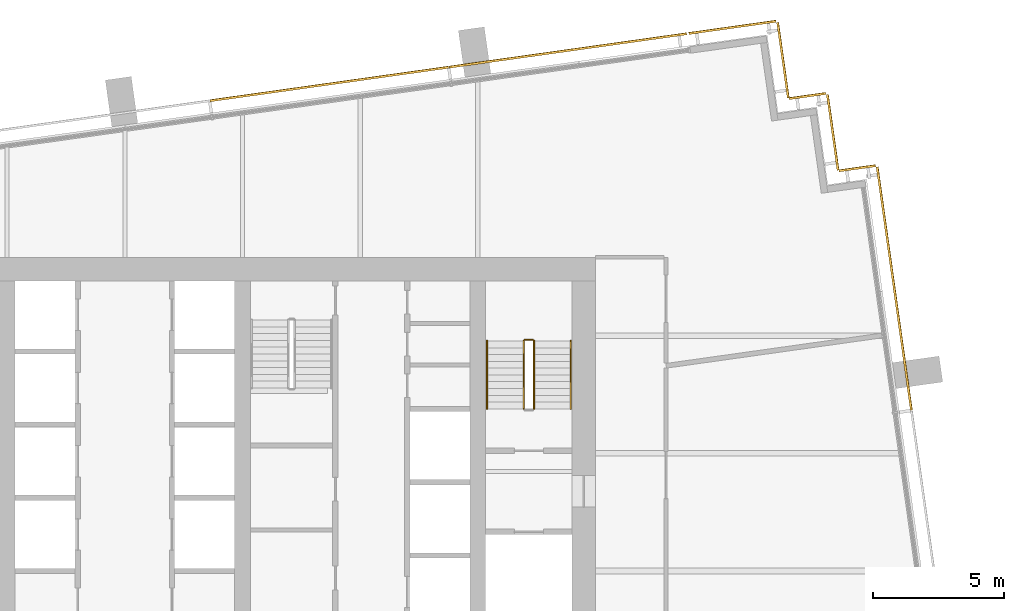
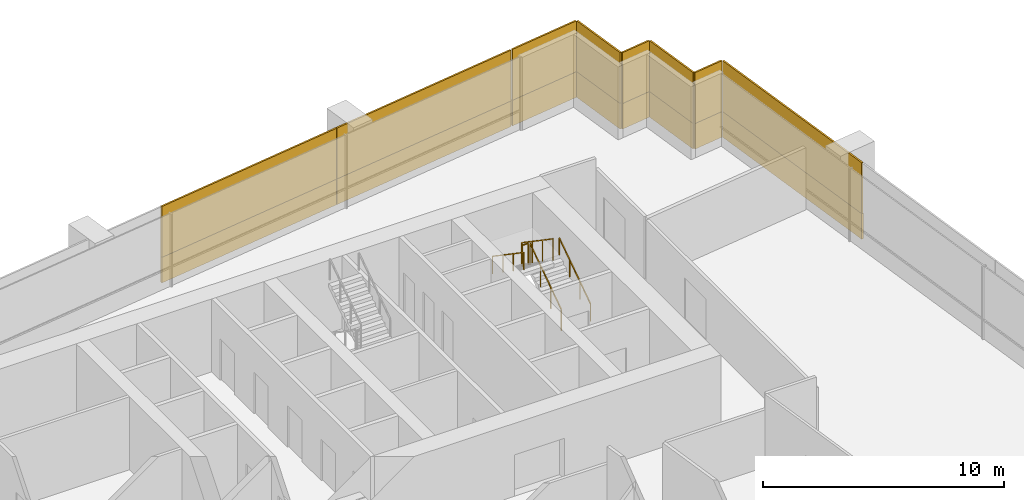
# One storey, part 17 of 17: 16 coverings, 5 railings.
"""IFC4 building model written with IfcOpenShell, lengths in metres."""

import ifcopenshell
import ifcopenshell.guid

model = None  # the IFC model being written
_history = None  # IfcOwnerHistory: only IFC2X3 demands one
_inside = {}  # id of a spatial element -> (the spatial element, [elements in it])
_under = {}  # id of a project, library or spatial element -> (it, [spatial elements below it])
_declared = {}  # id of a project -> (the project, [libraries it declares])
_typed = {}  # id of a type object -> (the type object, [elements of that type])
_made_of = {}  # id of a material, layer set ... -> (it, [elements and type objects made of it])


def new_model(schema):
    """Start an empty IFC model of exactly this schema.

    Asked for "IFC4X3", IfcOpenShell would pick the latest addendum, in which some entities
    have other attributes; the version numbers below select the first issue.
    IFC2X3 requires an IfcOwnerHistory on every rooted entity: one is made here for all.
    """
    global model, _history
    if schema == "IFC4X3":
        model = ifcopenshell.file(schema_version=(4, 3, 0, 0))
    else:
        model = ifcopenshell.file(schema=schema)
    _inside.clear()
    _under.clear()
    _declared.clear()
    _typed.clear()
    _made_of.clear()
    _history = None
    if model.schema == "IFC2X3":
        org = make("IfcOrganization", Name="unknown")
        user = make(
            "IfcPersonAndOrganization",
            ThePerson=make("IfcPerson", FamilyName="unknown"),
            TheOrganization=org,
        )
        app = make(
            "IfcApplication",
            ApplicationDeveloper=org,
            Version="unknown",
            ApplicationFullName="unknown",
            ApplicationIdentifier="unknown",
        )
        _history = make(
            "IfcOwnerHistory",
            OwningUser=user,
            OwningApplication=app,
            ChangeAction="ADDED",
            CreationDate=0,
        )
    return model


def make(cls, **values):
    """One entity of the class cls with the attributes given. An attribute that is None is left unset."""
    return model.create_entity(
        cls, **{name: value for name, value in values.items() if value is not None}
    )


def rooted(cls, **values):
    """An entity with a GlobalId (a new one), such as an element, a storey or a relation."""
    return make(cls, GlobalId=ifcopenshell.guid.new(), OwnerHistory=_history, **values)


def si_unit(unit_type, name, prefix=None):
    """IfcSIUnit, for example si_unit("LENGTHUNIT", "METRE", prefix="MILLI")."""
    return make("IfcSIUnit", UnitType=unit_type, Prefix=prefix, Name=name)


def assignment(units):
    """IfcUnitAssignment: the units of a project."""
    return None if units is None else make("IfcUnitAssignment", Units=units)


def point(xyz):
    """IfcCartesianPoint."""
    return None if xyz is None else make("IfcCartesianPoint", Coordinates=xyz)


def direction(xyz):
    """IfcDirection."""
    return None if xyz is None else make("IfcDirection", DirectionRatios=xyz)


def frame(location, z_axis=None, x_axis=None):
    """IfcAxis2Placement3D, a coordinate frame: its origin and axes. An axis left out is left unset."""
    return make(
        "IfcAxis2Placement3D",
        Location=point(location),
        Axis=direction(z_axis),
        RefDirection=direction(x_axis),
    )


def frame_2d(location, x_axis=None):
    """IfcAxis2Placement2D, a coordinate frame in the plane: its origin and x axis."""
    return make(
        "IfcAxis2Placement2D", Location=point(location), RefDirection=direction(x_axis)
    )


def origin():
    """The frame at (0, 0, 0) with its axes left unset."""
    return frame((0.0, 0.0, 0.0))


def origin_2d():
    """The frame at (0, 0) in the plane with its x axis left unset."""
    return frame_2d((0.0, 0.0))


def place(relative_to, where):
    """IfcLocalPlacement: puts the frame where relative to a parent placement (None: the world)."""
    return make(
        "IfcLocalPlacement", PlacementRelTo=relative_to, RelativePlacement=where
    )


def context(
    kind, dimensions, precision=None, world=None, true_north=None, identifier=None
):
    """IfcGeometricRepresentationContext, for example the 3D "Model" context."""
    return make(
        "IfcGeometricRepresentationContext",
        ContextIdentifier=identifier,
        ContextType=kind,
        CoordinateSpaceDimension=dimensions,
        Precision=precision,
        WorldCoordinateSystem=world,
        TrueNorth=true_north,
    )


def subcontext(parent, identifier, kind, view, scale=None):
    """IfcGeometricRepresentationSubContext, for example "Body" below "Model"."""
    return make(
        "IfcGeometricRepresentationSubContext",
        ContextIdentifier=identifier,
        ContextType=kind,
        ParentContext=parent,
        TargetScale=scale,
        TargetView=view,
    )


def project(units=None, contexts=None):
    """IfcProject with its units and contexts."""
    return rooted(
        "IfcProject",
        Name="project",
        RepresentationContexts=contexts,
        UnitsInContext=assignment(units),
    )


def spatial(cls, under=None, at=None, **own):
    """A site, building, storey or space (cls), placed at a placement, below another one or the project."""
    s = rooted(cls, ObjectPlacement=at, **own)
    if under is not None:
        _under.setdefault(under.id(), (under, []))[1].append(s)
    return s


def profile(cls, at=None, kind="AREA", **sizes):
    """A parametric profile (cls). Its sizes go by their IFC names, for example OverallWidth=200.0."""
    return make(cls, ProfileType=kind, Position=at, **sizes)


def rectangle(**sizes):
    """IfcRectangleProfileDef."""
    return profile("IfcRectangleProfileDef", **sizes)


def extrude(swept, where, along, depth):
    """IfcExtrudedAreaSolid: the profile swept, set in the frame where, extruded along a direction by depth."""
    return make(
        "IfcExtrudedAreaSolid",
        SweptArea=swept,
        Position=where,
        ExtrudedDirection=direction(along),
        Depth=depth,
    )


def shape(context_of_items, identifier, shape_type, items):
    """IfcShapeRepresentation: the items that make up one representation, for example the "Body"."""
    return make(
        "IfcShapeRepresentation",
        ContextOfItems=context_of_items,
        RepresentationIdentifier=identifier,
        RepresentationType=shape_type,
        Items=items,
    )


def material(Name=None, Category=None):
    """IfcMaterial."""
    return make("IfcMaterial", Name=Name, Category=Category)


def layer(
    of_material, thickness, ventilated=None, Name=None, Category=None, Priority=None
):
    """IfcMaterialLayer: one layer of a wall or slab, of a material (None: an air gap)."""
    return make(
        "IfcMaterialLayer",
        Material=of_material,
        LayerThickness=thickness,
        IsVentilated=ventilated,
        Name=Name,
        Category=Category,
        Priority=Priority,
    )


def layer_set(layers, Name=None):
    """IfcMaterialLayerSet."""
    return make("IfcMaterialLayerSet", MaterialLayers=layers, LayerSetName=Name)


def made_of(thing, what):
    """Note that an element or type object is made of a material, layer set ...; save() writes the relation."""
    if what is not None:
        _made_of.setdefault(what.id(), (what, []))[1].append(thing)
    return thing


def type_object(cls, material=None, **own):
    """A type object (cls), such as IfcWallType, which elements share."""
    return made_of(rooted(cls, **own), material)


def element(
    cls,
    number,
    at=None,
    inside=None,
    cuts=None,
    type_object=None,
    material=None,
    context=None,
    identifier="Body",
    shape_type=None,
    held_by="IfcProductDefinitionShape",
    body=None,
    shapes=None,
    **own,
):
    """One element of the class cls, such as IfcWall. Its Tag is "e" and its number.

    at: its placement. inside: the storey or other place that contains it. cuts: it is an
    opening in that element (IfcRelVoidsElement). A single representation is given by context,
    identifier, shape_type and body (its items); several are given by shapes. held_by: the class
    of the entity that holds the representations. save() writes the other relations.
    """
    e = rooted(cls, Tag="e%d" % number, ObjectPlacement=at, **own)
    if body is not None:
        shapes = [shape(context, identifier, shape_type, body)]
    if shapes is not None:
        e.Representation = make(held_by, Representations=shapes)
    if inside is not None:
        _inside.setdefault(inside.id(), (inside, []))[1].append(e)
    if cuts is not None:
        rooted(
            "IfcRelVoidsElement", RelatingBuildingElement=cuts, RelatedOpeningElement=e
        )
    if type_object is not None:
        _typed.setdefault(type_object.id(), (type_object, []))[1].append(e)
    return made_of(e, material)


def aggregate(whole, parts):
    """IfcRelAggregates: a whole, such as a stair, and the parts it consists of."""
    return rooted("IfcRelAggregates", RelatingObject=whole, RelatedObjects=parts)


def save(model, path):
    """Write the relations noted so far, then the file.

    IfcRelAggregates (storeys below a building ...), IfcRelContainedInSpatialStructure (elements
    in a storey), IfcRelDefinesByType, IfcRelAssociatesMaterial and IfcRelDeclares: one each for
    every whole, place, type object, material and project.
    """
    for whole, parts in _under.values():
        aggregate(whole, parts)
    for where, things in _inside.values():
        rooted(
            "IfcRelContainedInSpatialStructure",
            RelatedElements=things,
            RelatingStructure=where,
        )
    for kind, things in _typed.values():
        rooted("IfcRelDefinesByType", RelatedObjects=things, RelatingType=kind)
    for what, things in _made_of.values():
        rooted("IfcRelAssociatesMaterial", RelatedObjects=things, RelatingMaterial=what)
    for by, libraries in _declared.values():
        rooted("IfcRelDeclares", RelatingContext=by, RelatedDefinitions=libraries)
    model.write(path)


model = new_model("IFC4")

# Units and contexts
model_context = context("Model", 3, precision=1e-05, world=origin(), true_north=direction((0.0, 1.0)))
body_context = subcontext(model_context, "Body", "Model", "MODEL_VIEW")
ifc_project = project(units=[si_unit("LENGTHUNIT", "METRE"), si_unit("AREAUNIT", "SQUARE_METRE"), si_unit("VOLUMEUNIT", "CUBIC_METRE"), si_unit("PLANEANGLEUNIT", "RADIAN"), si_unit("MASSUNIT", "GRAM", prefix="KILO")], contexts=[model_context])

# Site, building, storey
site_placement = place(None, origin())
site = spatial("IfcSite", under=ifc_project, at=site_placement, CompositionType="ELEMENT")
building_placement = place(site_placement, origin())
building = spatial("IfcBuilding", under=site, at=building_placement, Name="Rattan Terrace Tower", CompositionType="ELEMENT")
storey_placement = place(building_placement, frame((0.0, 0.0, 221.300048828125)))
storey = spatial("IfcBuildingStorey", under=building, at=storey_placement, Name="L50", CompositionType="ELEMENT", Elevation=221.300048828125)

# Railings
ifc_material_1 = material(Name="Powder-coated steel guard", Category="steel")
railing_type_1 = type_object("IfcRailingType", Name="Core stair guard", PredefinedType="GUARDRAIL", material=ifc_material_1)
railing_1_placement = place(storey_placement, frame((15.64990234375, 1.699951171875, 0.17724609375)))
element("IfcRailing", 1, at=railing_1_placement, inside=storey, type_object=railing_type_1, Name="L50 S2 stair guard 1", PredefinedType="GUARDRAIL", context=body_context, shape_type="SweptSolid", body=[
    extrude(rectangle(XDim=0.048095703125, YDim=0.048095703125, at=origin_2d()), frame((0.0, 0.0, 1.076171875), z_axis=(0.0, 0.826240473404, 0.563317565952), x_axis=(-1.0, 0.0, 0.0)), (0.0, 0.0, 1.0), 3.14697265625),
    extrude(rectangle(XDim=0.0419921875, YDim=0.0419921875, at=origin_2d()), origin(), (0.0, 0.0, 1.0), 1.052001953125),
    extrude(rectangle(XDim=0.0419921875, YDim=0.0419921875, at=origin_2d()), frame((0.0, 0.86669921875, 0.5908203125)), (0.0, 0.0, 1.0), 1.052001953125),
    extrude(rectangle(XDim=0.0419921875, YDim=0.0419921875, at=origin_2d()), frame((0.0, 1.7333984375, 1.181884765625)), (0.0, 0.0, 1.0), 1.052001953125),
    extrude(rectangle(XDim=0.0419921875, YDim=0.0419921875, at=origin_2d()), frame((0.0, 2.60009765625, 1.772705078125)), (0.0, 0.0, 1.0), 1.052001953125),
])
railing_2_placement = place(storey_placement, frame((15.60009765625, 4.35009765625, 1.949951171875)))
element("IfcRailing", 2, at=railing_2_placement, inside=storey, type_object=railing_type_1, Name="L50 S2 stair guard 2", PredefinedType="GUARDRAIL", context=body_context, shape_type="SweptSolid", body=[
    extrude(rectangle(XDim=0.048095703125, YDim=0.048095703125, at=origin_2d()), frame((0.0, 0.0, 1.076171875), z_axis=(-1.0, 0.0, 0.0), x_axis=(0.0, -1.0, 0.0)), (0.0, 0.0, 1.0), 0.300048828125),
    extrude(rectangle(XDim=0.0419921875, YDim=0.0419921875, at=origin_2d()), origin(), (0.0, 0.0, 1.0), 1.052001953125),
    extrude(rectangle(XDim=0.0419921875, YDim=0.0419921875, at=origin_2d()), frame((-0.300048828125, 0.0, 0.0)), (0.0, 0.0, 1.0), 1.052001953125),
])
railing_3_placement = place(storey_placement, frame((15.25, 4.300048828125, 2.127197265625)))
element("IfcRailing", 3, at=railing_3_placement, inside=storey, type_object=railing_type_1, Name="L50 S2 stair guard 3", PredefinedType="GUARDRAIL", context=body_context, shape_type="SweptSolid", body=[
    extrude(rectangle(XDim=0.048095703125, YDim=0.048095703125, at=origin_2d()), frame((0.0, 0.0, 1.076171875), z_axis=(0.0, -0.826240473404, 0.563317565952), x_axis=(1.0, 0.0, 0.0)), (0.0, 0.0, 1.0), 3.14697265625),
    extrude(rectangle(XDim=0.0419921875, YDim=0.0419921875, at=origin_2d()), origin(), (0.0, 0.0, 1.0), 1.052001953125),
    extrude(rectangle(XDim=0.0419921875, YDim=0.0419921875, at=origin_2d()), frame((0.0, -0.86669921875, 0.5908203125)), (0.0, 0.0, 1.0), 1.052001953125),
    extrude(rectangle(XDim=0.0419921875, YDim=0.0419921875, at=origin_2d()), frame((0.0, -1.7333984375, 1.181884765625)), (0.0, 0.0, 1.0), 1.052001953125),
    extrude(rectangle(XDim=0.0419921875, YDim=0.0419921875, at=origin_2d()), frame((0.0, -2.60009765625, 1.772705078125)), (0.0, 0.0, 1.0), 1.052001953125),
])
ifc_material_2 = material(Name="Powder-coated steel handrail", Category="steel")
railing_type_2 = type_object("IfcRailingType", Name="Core stair handrail", PredefinedType="HANDRAIL", material=ifc_material_2)
railing_4_placement = place(storey_placement, frame((17.050048828125, 1.699951171875, 0.17724609375)))
element("IfcRailing", 4, at=railing_4_placement, inside=storey, type_object=railing_type_2, Name="L50 S2 stair handrail 1", PredefinedType="HANDRAIL", context=body_context, shape_type="SweptSolid", body=[
    extrude(rectangle(XDim=0.048095703125, YDim=0.048095703125, at=origin_2d()), frame((0.0, 0.0, 0.8759765625), z_axis=(0.0, 0.826240473404, 0.563317565952), x_axis=(-1.0, 0.0, 0.0)), (0.0, 0.0, 1.0), 3.14697265625),
    extrude(rectangle(XDim=0.0419921875, YDim=0.0419921875, at=origin_2d()), origin(), (0.0, 0.0, 1.0), 0.851806640625),
    extrude(rectangle(XDim=0.0419921875, YDim=0.0419921875, at=origin_2d()), frame((0.0, 0.86669921875, 0.5908203125)), (0.0, 0.0, 1.0), 0.851806640625),
    extrude(rectangle(XDim=0.0419921875, YDim=0.0419921875, at=origin_2d()), frame((0.0, 1.7333984375, 1.181884765625)), (0.0, 0.0, 1.0), 0.851806640625),
    extrude(rectangle(XDim=0.0419921875, YDim=0.0419921875, at=origin_2d()), frame((0.0, 2.60009765625, 1.772705078125)), (0.0, 0.0, 1.0), 0.851806640625),
])
railing_5_placement = place(storey_placement, frame((13.85009765625, 4.300048828125, 2.127197265625)))
element("IfcRailing", 5, at=railing_5_placement, inside=storey, type_object=railing_type_2, Name="L50 S2 stair handrail 2", PredefinedType="HANDRAIL", context=body_context, shape_type="SweptSolid", body=[
    extrude(rectangle(XDim=0.048095703125, YDim=0.048095703125, at=origin_2d()), frame((0.0, 0.0, 0.8759765625), z_axis=(0.0, -0.826240473404, 0.563317565952), x_axis=(1.0, 0.0, 0.0)), (0.0, 0.0, 1.0), 3.14697265625),
    extrude(rectangle(XDim=0.0419921875, YDim=0.0419921875, at=origin_2d()), origin(), (0.0, 0.0, 1.0), 0.851806640625),
    extrude(rectangle(XDim=0.0419921875, YDim=0.0419921875, at=origin_2d()), frame((0.0, -0.86669921875, 0.5908203125)), (0.0, 0.0, 1.0), 0.851806640625),
    extrude(rectangle(XDim=0.0419921875, YDim=0.0419921875, at=origin_2d()), frame((0.0, -1.7333984375, 1.181884765625)), (0.0, 0.0, 1.0), 0.851806640625),
    extrude(rectangle(XDim=0.0419921875, YDim=0.0419921875, at=origin_2d()), frame((0.0, -2.60009765625, 1.772705078125)), (0.0, 0.0, 1.0), 0.851806640625),
])

# Coverings
ifc_material_3 = material(Name="Solid terracotta", Category="masonry")
ifc_layer_1 = layer(ifc_material_3, 0.090087890625)
ifc_layer_set_1 = layer_set([ifc_layer_1], Name="Facade Terracotta Band Panel HZ")
covering_type_1 = type_object("IfcCoveringType", Name="Facade Terracotta Band Panel HZ", PredefinedType="CLADDING", material=ifc_layer_set_1)
covering_1_placement = place(storey_placement, frame((29.425537109375, 6.3037109375, -0.18994140625), z_axis=(0.0, 0.0, 1.0), x_axis=(-0.139186165309, 0.990266232579, 0.0)))
element("IfcCovering", 6, at=covering_1_placement, inside=storey, type_object=covering_type_1, Name="OUTER SKIN panel L50-8A", PredefinedType="CLADDING", context=body_context, shape_type="SweptSolid", body=[
    extrude(rectangle(XDim=9.39990234375, YDim=0.090087890625, at=origin_2d()), origin(), (0.0, 0.0, 1.0), 1.300048828125),
])
covering_2_placement = place(storey_placement, frame((28.00634765625, 10.90576171875, -0.18994140625), z_axis=(0.0, 0.0, 1.0), x_axis=(-0.990240767803, -0.139367219175, 0.0)))
element("IfcCovering", 7, at=covering_2_placement, inside=storey, type_object=covering_type_1, Name="OUTER SKIN panel L50-9A", PredefinedType="CLADDING", context=body_context, shape_type="SweptSolid", body=[
    extrude(rectangle(XDim=1.419677734375, YDim=0.090087890625, at=origin_2d()), origin(), (0.0, 0.0, 1.0), 1.300048828125),
])
covering_3_placement = place(storey_placement, frame((27.07177734375, 12.27392578125, -0.18994140625), z_axis=(0.0, 0.0, 1.0), x_axis=(-0.139321220646, 0.990247240581, 0.0)))
element("IfcCovering", 8, at=covering_3_placement, inside=storey, type_object=covering_type_1, Name="OUTER SKIN panel L50-10A", PredefinedType="CLADDING", context=body_context, shape_type="SweptSolid", body=[
    extrude(rectangle(XDim=2.920166015625, YDim=0.090087890625, at=origin_2d()), origin(), (0.0, 0.0, 1.0), 1.300048828125),
])
covering_4_placement = place(storey_placement, frame((26.103271484375, 13.667724609375, -0.18994140625), z_axis=(0.0, 0.0, 1.0), x_axis=(-0.990240767803, -0.139367219175, 0.0)))
element("IfcCovering", 9, at=covering_4_placement, inside=storey, type_object=covering_type_1, Name="OUTER SKIN panel L50-11A", PredefinedType="CLADDING", context=body_context, shape_type="SweptSolid", body=[
    extrude(rectangle(XDim=1.419677734375, YDim=0.090087890625, at=origin_2d()), origin(), (0.0, 0.0, 1.0), 1.300048828125),
])
covering_5_placement = place(storey_placement, frame((25.168701171875, 15.035888671875, -0.18994140625), z_axis=(0.0, 0.0, 1.0), x_axis=(-0.139321220646, 0.990247240581, 0.0)))
element("IfcCovering", 10, at=covering_5_placement, inside=storey, type_object=covering_type_1, Name="OUTER SKIN panel L50-12A", PredefinedType="CLADDING", context=body_context, shape_type="SweptSolid", body=[
    extrude(rectangle(XDim=2.920166015625, YDim=0.090087890625, at=origin_2d()), origin(), (0.0, 0.0, 1.0), 1.300048828125),
])
covering_6_placement = place(storey_placement, frame((23.234619140625, 16.294189453125, -0.18994140625), z_axis=(0.0, 0.0, 1.0), x_axis=(-0.990293172258, -0.138994363123, 0.0)))
element("IfcCovering", 11, at=covering_6_placement, inside=storey, type_object=covering_type_1, Name="OUTER SKIN panel L50-13A", PredefinedType="CLADDING", context=body_context, shape_type="SweptSolid", body=[
    extrude(rectangle(XDim=3.3701171875, YDim=0.090087890625, at=origin_2d()), origin(), (0.0, 0.0, 1.0), 1.300048828125),
])
covering_7_placement = place(storey_placement, frame((16.94091796875, 15.409912109375, -0.18994140625), z_axis=(0.0, 0.0, 1.0), x_axis=(-0.990267457022, -0.139177453499, 0.0)))
element("IfcCovering", 12, at=covering_7_placement, inside=storey, type_object=covering_type_1, Name="OUTER SKIN panel L50-14A", PredefinedType="CLADDING", context=body_context, shape_type="SweptSolid", body=[
    extrude(rectangle(XDim=9.18115234375, YDim=0.090087890625, at=origin_2d()), origin(), (0.0, 0.0, 1.0), 1.300048828125),
])
covering_8_placement = place(storey_placement, frame((7.814453125, 14.12744140625, -0.18994140625), z_axis=(0.0, 0.0, 1.0), x_axis=(-0.990267457022, -0.139177453499, 0.0)))
element("IfcCovering", 13, at=covering_8_placement, inside=storey, type_object=covering_type_1, Name="OUTER SKIN panel L50-15A", PredefinedType="CLADDING", context=body_context, shape_type="SweptSolid", body=[
    extrude(rectangle(XDim=9.2109375, YDim=0.090087890625, at=origin_2d()), origin(), (0.0, 0.0, 1.0), 1.300048828125),
])
ifc_material_4 = material(Name="Perforated terracotta", Category="masonry")
ifc_layer_2 = layer(ifc_material_4, 0.080078125)
ifc_layer_set_2 = layer_set([ifc_layer_2], Name="Facade Terracotta Screen Panel HZ")
covering_type_2 = type_object("IfcCoveringType", Name="Facade Terracotta Screen Panel HZ", PredefinedType="CLADDING", material=ifc_layer_set_2)
covering_9_placement = place(storey_placement, frame((29.420654296875, 6.302978515625, 1.10986328125), z_axis=(0.0, 0.0, 1.0), x_axis=(-0.139186165309, 0.990266232579, 0.0)))
element("IfcCovering", 14, at=covering_9_placement, inside=storey, type_object=covering_type_2, Name="OUTER SKIN panel L50-8B", PredefinedType="CLADDING", context=body_context, shape_type="SweptSolid", body=[
    extrude(rectangle(XDim=9.39990234375, YDim=0.080078125, at=origin_2d()), origin(), (0.0, 0.0, 1.0), 2.580078125),
])
covering_10_placement = place(storey_placement, frame((28.007080078125, 10.900634765625, 1.10986328125), z_axis=(0.0, 0.0, 1.0), x_axis=(-0.990240767803, -0.139367219175, 0.0)))
element("IfcCovering", 15, at=covering_10_placement, inside=storey, type_object=covering_type_2, Name="OUTER SKIN panel L50-9B", PredefinedType="CLADDING", context=body_context, shape_type="SweptSolid", body=[
    extrude(rectangle(XDim=1.419677734375, YDim=0.080078125, at=origin_2d()), origin(), (0.0, 0.0, 1.0), 2.580078125),
])
covering_11_placement = place(storey_placement, frame((27.06689453125, 12.273193359375, 1.10986328125), z_axis=(0.0, 0.0, 1.0), x_axis=(-0.139321220646, 0.990247240581, 0.0)))
element("IfcCovering", 16, at=covering_11_placement, inside=storey, type_object=covering_type_2, Name="OUTER SKIN panel L50-10B", PredefinedType="CLADDING", context=body_context, shape_type="SweptSolid", body=[
    extrude(rectangle(XDim=2.920166015625, YDim=0.080078125, at=origin_2d()), origin(), (0.0, 0.0, 1.0), 2.580078125),
])
covering_12_placement = place(storey_placement, frame((26.10400390625, 13.662841796875, 1.10986328125), z_axis=(0.0, 0.0, 1.0), x_axis=(-0.990240767803, -0.139367219175, 0.0)))
element("IfcCovering", 17, at=covering_12_placement, inside=storey, type_object=covering_type_2, Name="OUTER SKIN panel L50-11B", PredefinedType="CLADDING", context=body_context, shape_type="SweptSolid", body=[
    extrude(rectangle(XDim=1.419677734375, YDim=0.080078125, at=origin_2d()), origin(), (0.0, 0.0, 1.0), 2.580078125),
])
covering_13_placement = place(storey_placement, frame((25.163818359375, 15.03515625, 1.10986328125), z_axis=(0.0, 0.0, 1.0), x_axis=(-0.139321220646, 0.990247240581, 0.0)))
element("IfcCovering", 18, at=covering_13_placement, inside=storey, type_object=covering_type_2, Name="OUTER SKIN panel L50-12B", PredefinedType="CLADDING", context=body_context, shape_type="SweptSolid", body=[
    extrude(rectangle(XDim=2.920166015625, YDim=0.080078125, at=origin_2d()), origin(), (0.0, 0.0, 1.0), 2.580078125),
])
covering_14_placement = place(storey_placement, frame((23.2353515625, 16.289306640625, 1.10986328125), z_axis=(0.0, 0.0, 1.0), x_axis=(-0.990293172258, -0.138994363123, 0.0)))
element("IfcCovering", 19, at=covering_14_placement, inside=storey, type_object=covering_type_2, Name="OUTER SKIN panel L50-13B", PredefinedType="CLADDING", context=body_context, shape_type="SweptSolid", body=[
    extrude(rectangle(XDim=3.3701171875, YDim=0.080078125, at=origin_2d()), origin(), (0.0, 0.0, 1.0), 2.580078125),
])
covering_15_placement = place(storey_placement, frame((16.941650390625, 15.405029296875, 1.10986328125), z_axis=(0.0, 0.0, 1.0), x_axis=(-0.990267457022, -0.139177453499, 0.0)))
element("IfcCovering", 20, at=covering_15_placement, inside=storey, type_object=covering_type_2, Name="OUTER SKIN panel L50-14B", PredefinedType="CLADDING", context=body_context, shape_type="SweptSolid", body=[
    extrude(rectangle(XDim=9.18115234375, YDim=0.080078125, at=origin_2d()), origin(), (0.0, 0.0, 1.0), 2.580078125),
])
covering_16_placement = place(storey_placement, frame((7.815185546875, 14.122314453125, 1.10986328125), z_axis=(0.0, 0.0, 1.0), x_axis=(-0.990267457022, -0.139177453499, 0.0)))
element("IfcCovering", 21, at=covering_16_placement, inside=storey, type_object=covering_type_2, Name="OUTER SKIN panel L50-15B", PredefinedType="CLADDING", context=body_context, shape_type="SweptSolid", body=[
    extrude(rectangle(XDim=9.2109375, YDim=0.080078125, at=origin_2d()), origin(), (0.0, 0.0, 1.0), 2.580078125),
])

save(model, "model.ifc")
